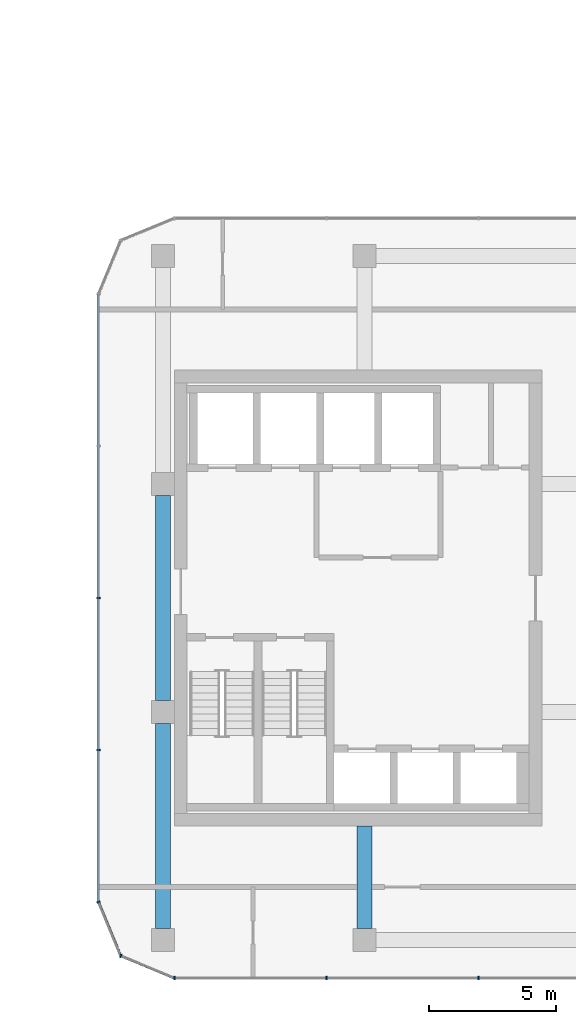
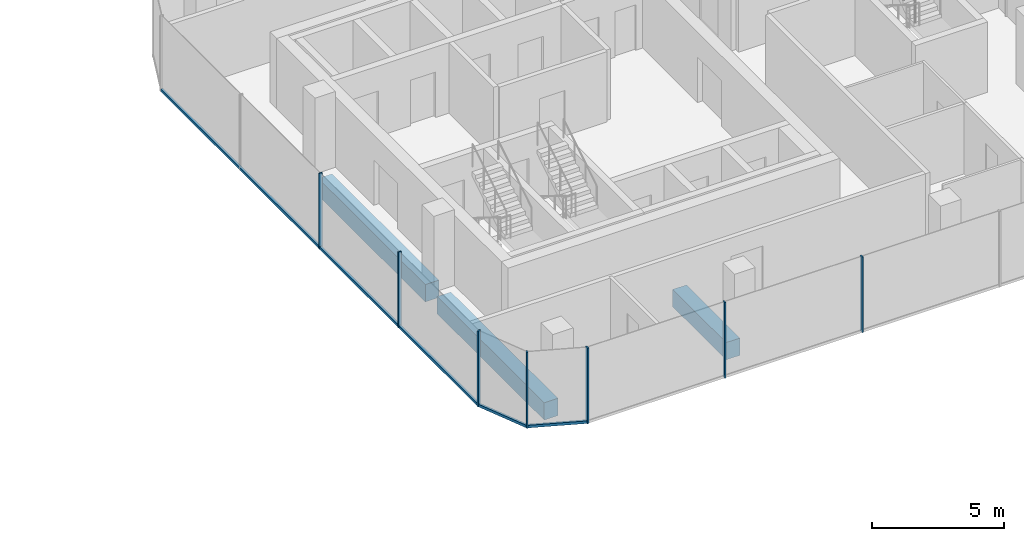
# One storey, part 7 of 22: 10 members, 3 beams, 4 elements without a shape of their own.
"""IFC4 building model written with IfcOpenShell, lengths in metres."""

import ifcopenshell
import ifcopenshell.guid

model = None  # the IFC model being written
_history = None  # IfcOwnerHistory: only IFC2X3 demands one
_inside = {}  # id of a spatial element -> (the spatial element, [elements in it])
_under = {}  # id of a project, library or spatial element -> (it, [spatial elements below it])
_declared = {}  # id of a project -> (the project, [libraries it declares])
_typed = {}  # id of a type object -> (the type object, [elements of that type])
_made_of = {}  # id of a material, layer set ... -> (it, [elements and type objects made of it])


def new_model(schema):
    """Start an empty IFC model of exactly this schema.

    Asked for "IFC4X3", IfcOpenShell would pick the latest addendum, in which some entities
    have other attributes; the version numbers below select the first issue.
    IFC2X3 requires an IfcOwnerHistory on every rooted entity: one is made here for all.
    """
    global model, _history
    if schema == "IFC4X3":
        model = ifcopenshell.file(schema_version=(4, 3, 0, 0))
    else:
        model = ifcopenshell.file(schema=schema)
    _inside.clear()
    _under.clear()
    _declared.clear()
    _typed.clear()
    _made_of.clear()
    _history = None
    if model.schema == "IFC2X3":
        org = make("IfcOrganization", Name="unknown")
        user = make(
            "IfcPersonAndOrganization",
            ThePerson=make("IfcPerson", FamilyName="unknown"),
            TheOrganization=org,
        )
        app = make(
            "IfcApplication",
            ApplicationDeveloper=org,
            Version="unknown",
            ApplicationFullName="unknown",
            ApplicationIdentifier="unknown",
        )
        _history = make(
            "IfcOwnerHistory",
            OwningUser=user,
            OwningApplication=app,
            ChangeAction="ADDED",
            CreationDate=0,
        )
    return model


def make(cls, **values):
    """One entity of the class cls with the attributes given. An attribute that is None is left unset."""
    return model.create_entity(
        cls, **{name: value for name, value in values.items() if value is not None}
    )


def rooted(cls, **values):
    """An entity with a GlobalId (a new one), such as an element, a storey or a relation."""
    return make(cls, GlobalId=ifcopenshell.guid.new(), OwnerHistory=_history, **values)


def si_unit(unit_type, name, prefix=None):
    """IfcSIUnit, for example si_unit("LENGTHUNIT", "METRE", prefix="MILLI")."""
    return make("IfcSIUnit", UnitType=unit_type, Prefix=prefix, Name=name)


def assignment(units):
    """IfcUnitAssignment: the units of a project."""
    return None if units is None else make("IfcUnitAssignment", Units=units)


def point(xyz):
    """IfcCartesianPoint."""
    return None if xyz is None else make("IfcCartesianPoint", Coordinates=xyz)


def direction(xyz):
    """IfcDirection."""
    return None if xyz is None else make("IfcDirection", DirectionRatios=xyz)


def frame(location, z_axis=None, x_axis=None):
    """IfcAxis2Placement3D, a coordinate frame: its origin and axes. An axis left out is left unset."""
    return make(
        "IfcAxis2Placement3D",
        Location=point(location),
        Axis=direction(z_axis),
        RefDirection=direction(x_axis),
    )


def frame_2d(location, x_axis=None):
    """IfcAxis2Placement2D, a coordinate frame in the plane: its origin and x axis."""
    return make(
        "IfcAxis2Placement2D", Location=point(location), RefDirection=direction(x_axis)
    )


def origin():
    """The frame at (0, 0, 0) with its axes left unset."""
    return frame((0.0, 0.0, 0.0))


def origin_2d():
    """The frame at (0, 0) in the plane with its x axis left unset."""
    return frame_2d((0.0, 0.0))


def place(relative_to, where):
    """IfcLocalPlacement: puts the frame where relative to a parent placement (None: the world)."""
    return make(
        "IfcLocalPlacement", PlacementRelTo=relative_to, RelativePlacement=where
    )


def context(
    kind, dimensions, precision=None, world=None, true_north=None, identifier=None
):
    """IfcGeometricRepresentationContext, for example the 3D "Model" context."""
    return make(
        "IfcGeometricRepresentationContext",
        ContextIdentifier=identifier,
        ContextType=kind,
        CoordinateSpaceDimension=dimensions,
        Precision=precision,
        WorldCoordinateSystem=world,
        TrueNorth=true_north,
    )


def subcontext(parent, identifier, kind, view, scale=None):
    """IfcGeometricRepresentationSubContext, for example "Body" below "Model"."""
    return make(
        "IfcGeometricRepresentationSubContext",
        ContextIdentifier=identifier,
        ContextType=kind,
        ParentContext=parent,
        TargetScale=scale,
        TargetView=view,
    )


def project(units=None, contexts=None):
    """IfcProject with its units and contexts."""
    return rooted(
        "IfcProject",
        Name="project",
        RepresentationContexts=contexts,
        UnitsInContext=assignment(units),
    )


def spatial(cls, under=None, at=None, **own):
    """A site, building, storey or space (cls), placed at a placement, below another one or the project."""
    s = rooted(cls, ObjectPlacement=at, **own)
    if under is not None:
        _under.setdefault(under.id(), (under, []))[1].append(s)
    return s


def profile(cls, at=None, kind="AREA", **sizes):
    """A parametric profile (cls). Its sizes go by their IFC names, for example OverallWidth=200.0."""
    return make(cls, ProfileType=kind, Position=at, **sizes)


def rectangle(**sizes):
    """IfcRectangleProfileDef."""
    return profile("IfcRectangleProfileDef", **sizes)


def extrude(swept, where, along, depth):
    """IfcExtrudedAreaSolid: the profile swept, set in the frame where, extruded along a direction by depth."""
    return make(
        "IfcExtrudedAreaSolid",
        SweptArea=swept,
        Position=where,
        ExtrudedDirection=direction(along),
        Depth=depth,
    )


def shape(context_of_items, identifier, shape_type, items):
    """IfcShapeRepresentation: the items that make up one representation, for example the "Body"."""
    return make(
        "IfcShapeRepresentation",
        ContextOfItems=context_of_items,
        RepresentationIdentifier=identifier,
        RepresentationType=shape_type,
        Items=items,
    )


def material(Name=None, Category=None):
    """IfcMaterial."""
    return make("IfcMaterial", Name=Name, Category=Category)


def layer(
    of_material, thickness, ventilated=None, Name=None, Category=None, Priority=None
):
    """IfcMaterialLayer: one layer of a wall or slab, of a material (None: an air gap)."""
    return make(
        "IfcMaterialLayer",
        Material=of_material,
        LayerThickness=thickness,
        IsVentilated=ventilated,
        Name=Name,
        Category=Category,
        Priority=Priority,
    )


def layer_set(layers, Name=None):
    """IfcMaterialLayerSet."""
    return make("IfcMaterialLayerSet", MaterialLayers=layers, LayerSetName=Name)


def material_profile(
    of_material, cross_section, Name=None, Category=None, Priority=None
):
    """IfcMaterialProfile: a cross section and its material."""
    return make(
        "IfcMaterialProfile",
        Name=Name,
        Material=of_material,
        Profile=cross_section,
        Priority=Priority,
        Category=Category,
    )


def profile_set(profiles, Name=None, composite=None):
    """IfcMaterialProfileSet."""
    return make(
        "IfcMaterialProfileSet",
        Name=Name,
        MaterialProfiles=profiles,
        CompositeProfile=composite,
    )


def made_of(thing, what):
    """Note that an element or type object is made of a material, layer set ...; save() writes the relation."""
    if what is not None:
        _made_of.setdefault(what.id(), (what, []))[1].append(thing)
    return thing


def type_object(cls, material=None, **own):
    """A type object (cls), such as IfcWallType, which elements share."""
    return made_of(rooted(cls, **own), material)


def element(
    cls,
    number,
    at=None,
    inside=None,
    cuts=None,
    type_object=None,
    material=None,
    context=None,
    identifier="Body",
    shape_type=None,
    held_by="IfcProductDefinitionShape",
    body=None,
    shapes=None,
    **own,
):
    """One element of the class cls, such as IfcWall. Its Tag is "e" and its number.

    at: its placement. inside: the storey or other place that contains it. cuts: it is an
    opening in that element (IfcRelVoidsElement). A single representation is given by context,
    identifier, shape_type and body (its items); several are given by shapes. held_by: the class
    of the entity that holds the representations. save() writes the other relations.
    """
    e = rooted(cls, Tag="e%d" % number, ObjectPlacement=at, **own)
    if body is not None:
        shapes = [shape(context, identifier, shape_type, body)]
    if shapes is not None:
        e.Representation = make(held_by, Representations=shapes)
    if inside is not None:
        _inside.setdefault(inside.id(), (inside, []))[1].append(e)
    if cuts is not None:
        rooted(
            "IfcRelVoidsElement", RelatingBuildingElement=cuts, RelatedOpeningElement=e
        )
    if type_object is not None:
        _typed.setdefault(type_object.id(), (type_object, []))[1].append(e)
    return made_of(e, material)


def aggregate(whole, parts):
    """IfcRelAggregates: a whole, such as a stair, and the parts it consists of."""
    return rooted("IfcRelAggregates", RelatingObject=whole, RelatedObjects=parts)


def save(model, path):
    """Write the relations noted so far, then the file.

    IfcRelAggregates (storeys below a building ...), IfcRelContainedInSpatialStructure (elements
    in a storey), IfcRelDefinesByType, IfcRelAssociatesMaterial and IfcRelDeclares: one each for
    every whole, place, type object, material and project.
    """
    for whole, parts in _under.values():
        aggregate(whole, parts)
    for where, things in _inside.values():
        rooted(
            "IfcRelContainedInSpatialStructure",
            RelatedElements=things,
            RelatingStructure=where,
        )
    for kind, things in _typed.values():
        rooted("IfcRelDefinesByType", RelatedObjects=things, RelatingType=kind)
    for what, things in _made_of.values():
        rooted("IfcRelAssociatesMaterial", RelatedObjects=things, RelatingMaterial=what)
    for by, libraries in _declared.values():
        rooted("IfcRelDeclares", RelatingContext=by, RelatedDefinitions=libraries)
    model.write(path)


model = new_model("IFC4")

# Units and contexts
model_context = context("Model", 3, precision=1e-05, world=origin(), true_north=direction((0.0, 1.0)))
body_context = subcontext(model_context, "Body", "Model", "MODEL_VIEW")
ifc_project = project(units=[si_unit("LENGTHUNIT", "METRE"), si_unit("AREAUNIT", "SQUARE_METRE"), si_unit("VOLUMEUNIT", "CUBIC_METRE"), si_unit("PLANEANGLEUNIT", "RADIAN"), si_unit("MASSUNIT", "GRAM", prefix="KILO")], contexts=[model_context])

# Site, building, storey
site_placement = place(None, origin())
site = spatial("IfcSite", under=ifc_project, at=site_placement, CompositionType="ELEMENT")
building_placement = place(site_placement, origin())
building = spatial("IfcBuilding", under=site, at=building_placement, Name="Plateau Cross Towers", CompositionType="ELEMENT")
storey_placement = place(building_placement, frame((0.0, 0.0, 58.300048828125)))
storey = spatial("IfcBuildingStorey", under=building, at=storey_placement, Name="L14", CompositionType="ELEMENT", Elevation=58.300048828125)

# Beam
ifc_material_1 = material(Name="Concrete C60/75", Category="concrete")
ifc_material_profile_1 = material_profile(ifc_material_1, rectangle(XDim=0.60009765625, YDim=0.800048828125, at=origin_2d()), Name="RC 600x800")
ifc_profile_set_1 = profile_set([ifc_material_profile_1], Name="Concrete C60/75")
beam_type_1 = type_object("IfcBeamType", Name="Core beam RC 600x800", PredefinedType="BEAM", material=ifc_profile_set_1)
beam_placement = place(storey_placement, frame((82.5, 0.0, -0.650146484375), z_axis=(0.0, -1.0, 0.0), x_axis=(1.0, 0.0, 0.0)))
element("IfcBeam", 1, at=beam_placement, inside=storey, type_object=beam_type_1, Name="B-CB01@L14", PredefinedType="BEAM", context=body_context, shape_type="SweptSolid", body=[
    extrude(rectangle(XDim=0.60009765625, YDim=0.800048828125, at=origin_2d()), origin(), (0.0, 0.0, 1.0), 4.050048828125),
])

# Curtain wall, members
ifc_material_2 = material(Name="Dark low-iron glass", Category="glass")
ifc_layer = layer(ifc_material_2, 0.239990234375)
ifc_layer_set = layer_set([ifc_layer], Name="Dark low-iron glass")
curtain_wall_type = type_object("IfcCurtainWallType", Name="Curtain wall office unitised CW-F", PredefinedType="NOTDEFINED", material=ifc_layer_set)
curtain_wall_1_placement = place(storey_placement, origin())
curtain_wall_1 = element("IfcCurtainWall", 2, at=curtain_wall_1_placement, inside=storey, type_object=curtain_wall_type, Name="ENV/B/L14/B750_-60", PredefinedType="NOTDEFINED")
ifc_material_3 = material(Name="Black anodised aluminium", Category="aluminium")
ifc_material_profile_2 = material_profile(ifc_material_3, rectangle(XDim=0.06005859375, YDim=0.139892578125, at=origin_2d()), Name="MULLION 60x140")
ifc_profile_set_2 = profile_set([ifc_material_profile_2], Name="Black anodised aluminium")
member_type_1 = type_object("IfcMemberType", Name="Mullion 60x140 office unitised", PredefinedType="MULLION", material=ifc_profile_set_2)
member_1_placement = place(storey_placement, frame((75.0, -6.0, -0.25), z_axis=(0.0, 0.0, 1.0), x_axis=(1.0, 0.0, 0.0)))
member_1 = element("IfcMember", 3, at=member_1_placement, type_object=member_type_1, Name="CW-F mullion 1", PredefinedType="MULLION", context=body_context, shape_type="SweptSolid", body=[
    extrude(rectangle(XDim=0.06005859375, YDim=0.139892578125, at=origin_2d()), origin(), (0.0, 0.0, 1.0), 3.5),
])
member_2_placement = place(storey_placement, frame((81.0, -6.0, -0.25), z_axis=(0.0, 0.0, 1.0), x_axis=(1.0, 0.0, 0.0)))
member_2 = element("IfcMember", 4, at=member_2_placement, type_object=member_type_1, Name="CW-F mullion 2", PredefinedType="MULLION", context=body_context, shape_type="SweptSolid", body=[
    extrude(rectangle(XDim=0.06005859375, YDim=0.139892578125, at=origin_2d()), origin(), (0.0, 0.0, 1.0), 3.5),
])
member_3_placement = place(storey_placement, frame((87.0, -6.0, -0.25), z_axis=(0.0, 0.0, 1.0), x_axis=(1.0, 0.0, 0.0)))
member_3 = element("IfcMember", 5, at=member_3_placement, type_object=member_type_1, Name="CW-F mullion 3", PredefinedType="MULLION", context=body_context, shape_type="SweptSolid", body=[
    extrude(rectangle(XDim=0.06005859375, YDim=0.139892578125, at=origin_2d()), origin(), (0.0, 0.0, 1.0), 3.5),
])
aggregate(curtain_wall_1, [member_1, member_2, member_3])

curtain_wall_2_placement = place(storey_placement, origin())
curtain_wall_2 = element("IfcCurtainWall", 6, at=curtain_wall_2_placement, inside=storey, type_object=curtain_wall_type, Name="ENV/B/L14/B720_210", PredefinedType="NOTDEFINED")
member_4_placement = place(storey_placement, frame((72.0, 9.0, -0.25), z_axis=(0.0, 0.0, 1.0), x_axis=(0.0, -1.0, 0.0)))
member_4 = element("IfcMember", 7, at=member_4_placement, type_object=member_type_1, Name="CW-F mullion 3", PredefinedType="MULLION", context=body_context, shape_type="SweptSolid", body=[
    extrude(rectangle(XDim=0.06005859375, YDim=0.139892578125, at=origin_2d()), origin(), (0.0, 0.0, 1.0), 3.5),
])
member_5_placement = place(storey_placement, frame((72.0, 3.0, -0.25), z_axis=(0.0, 0.0, 1.0), x_axis=(0.0, -1.0, 0.0)))
member_5 = element("IfcMember", 8, at=member_5_placement, type_object=member_type_1, Name="CW-F mullion 4", PredefinedType="MULLION", context=body_context, shape_type="SweptSolid", body=[
    extrude(rectangle(XDim=0.06005859375, YDim=0.139892578125, at=origin_2d()), origin(), (0.0, 0.0, 1.0), 3.5),
])

# Curtain wall, member
curtain_wall_3_placement = place(storey_placement, origin())
curtain_wall_3 = element("IfcCurtainWall", 9, at=curtain_wall_3_placement, inside=storey, type_object=curtain_wall_type, Name="ENV/B/L14/B720_-30", PredefinedType="NOTDEFINED")
member_6_placement = place(storey_placement, frame((72.0, -3.0, -0.25), z_axis=(0.0, 0.0, 1.0), x_axis=(0.382683612978, -0.923879457699, 0.0)))
member_6 = element("IfcMember", 10, at=member_6_placement, type_object=member_type_1, Name="CW-F mullion 1", PredefinedType="MULLION", context=body_context, shape_type="SweptSolid", body=[
    extrude(rectangle(XDim=0.06005859375, YDim=0.139892578125, at=origin_2d()), origin(), (0.0, 0.0, 1.0), 3.5),
])

curtain_wall_4_placement = place(storey_placement, origin())
curtain_wall_4 = element("IfcCurtainWall", 11, at=curtain_wall_4_placement, inside=storey, type_object=curtain_wall_type, Name="ENV/B/L14/B729_-51", PredefinedType="NOTDEFINED")
member_7_placement = place(storey_placement, frame((72.878662109375, -5.121337890625, -0.25), z_axis=(0.0, 0.0, 1.0), x_axis=(0.923879457699, -0.382683612978, 0.0)))
member_7 = element("IfcMember", 12, at=member_7_placement, type_object=member_type_1, Name="CW-F mullion 1", PredefinedType="MULLION", context=body_context, shape_type="SweptSolid", body=[
    extrude(rectangle(XDim=0.06005859375, YDim=0.139892578125, at=origin_2d()), origin(), (0.0, 0.0, 1.0), 3.5),
])

# Beams
ifc_material_profile_3 = material_profile(ifc_material_1, rectangle(XDim=0.60009765625, YDim=0.800048828125, at=origin_2d()), Name="RC 600x800")
ifc_profile_set_3 = profile_set([ifc_material_profile_3], Name="Concrete C60/75")
beam_type_2 = type_object("IfcBeamType", Name="Ring beam RC 600x800", PredefinedType="BEAM", material=ifc_profile_set_3)
for number, where, z_axis, x_axis, name in (
    (13, (74.550048828125, 13.050048828125, -0.650146484375), (0.0, -1.0, 0.0), (1.0, 0.0, 0.0), "B-RB09@L14"),
    (14, (74.550048828125, 4.050048828125, -0.650146484375), (0.0, -1.0, 0.0), (1.0, 0.0, 0.0), "B-RB10@L14"),
):
    element("IfcBeam", number, at=place(storey_placement, frame(where, z_axis=z_axis, x_axis=x_axis)), inside=storey, type_object=beam_type_2, Name=name, PredefinedType="BEAM", context=body_context, shape_type="SweptSolid", body=[
        extrude(rectangle(XDim=0.60009765625, YDim=0.800048828125, at=origin_2d()), origin(), (0.0, 0.0, 1.0), 8.10009765625),
    ])

# Member
ifc_material_profile_4 = material_profile(ifc_material_3, rectangle(XDim=0.10009765625, YDim=0.1201171875, at=origin_2d()), Name="TRANSOM 100x120")
ifc_profile_set_4 = profile_set([ifc_material_profile_4], Name="Black anodised aluminium")
member_type_2 = type_object("IfcMemberType", Name="Transom 100x120 office unitised", PredefinedType="USERDEFINED", material=ifc_profile_set_4)
member_8_placement = place(storey_placement, frame((72.0, 21.0, -0.18994140625), z_axis=(0.0, -1.0, 0.0), x_axis=(1.0, 0.0, 0.0)))
member_8 = element("IfcMember", 15, at=member_8_placement, type_object=member_type_2, Name="CW-F transom", ObjectType="TRANSOM", PredefinedType="USERDEFINED", context=body_context, shape_type="SweptSolid", body=[
    extrude(rectangle(XDim=0.10009765625, YDim=0.1201171875, at=origin_2d()), origin(), (0.0, 0.0, 1.0), 24.0),
])

aggregate(curtain_wall_2, [member_4, member_5, member_8])

member_9_placement = place(storey_placement, frame((72.0, -3.0, -0.18994140625), z_axis=(0.382674207535, -0.923883353507, 0.0), x_axis=(0.923883353507, 0.382674207535, 0.0)))
member_9 = element("IfcMember", 16, at=member_9_placement, type_object=member_type_2, Name="CW-F transom", ObjectType="TRANSOM", PredefinedType="USERDEFINED", context=body_context, shape_type="SweptSolid", body=[
    extrude(rectangle(XDim=0.10009765625, YDim=0.1201171875, at=origin_2d()), origin(), (0.0, 0.0, 1.0), 2.296142578125),
])

aggregate(curtain_wall_3, [member_6, member_9])

member_10_placement = place(storey_placement, frame((72.878662109375, -5.121337890625, -0.18994140625), z_axis=(0.923883353507, -0.382674207535, 0.0), x_axis=(0.382674207535, 0.923883353507, 0.0)))
member_10 = element("IfcMember", 17, at=member_10_placement, type_object=member_type_2, Name="CW-F transom", ObjectType="TRANSOM", PredefinedType="USERDEFINED", context=body_context, shape_type="SweptSolid", body=[
    extrude(rectangle(XDim=0.10009765625, YDim=0.1201171875, at=origin_2d()), origin(), (0.0, 0.0, 1.0), 2.296142578125),
])

aggregate(curtain_wall_4, [member_7, member_10])

save(model, "model.ifc")
